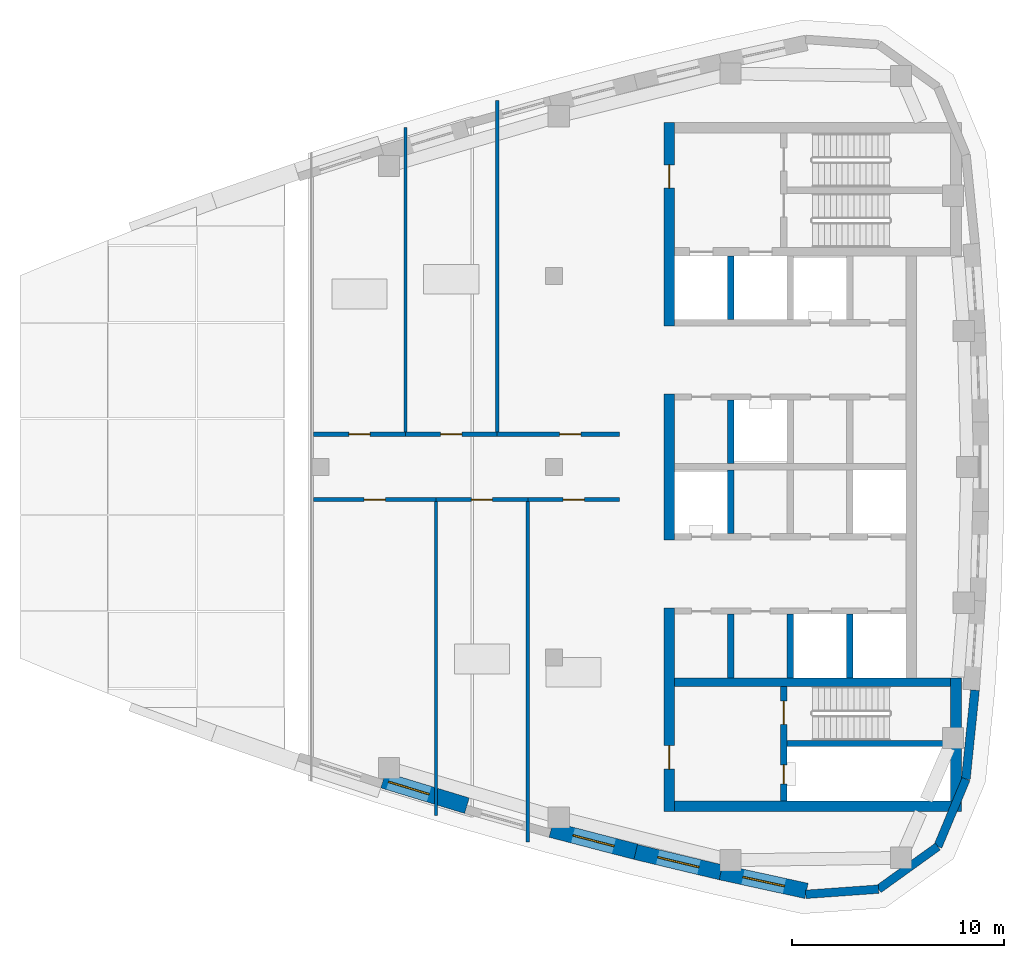
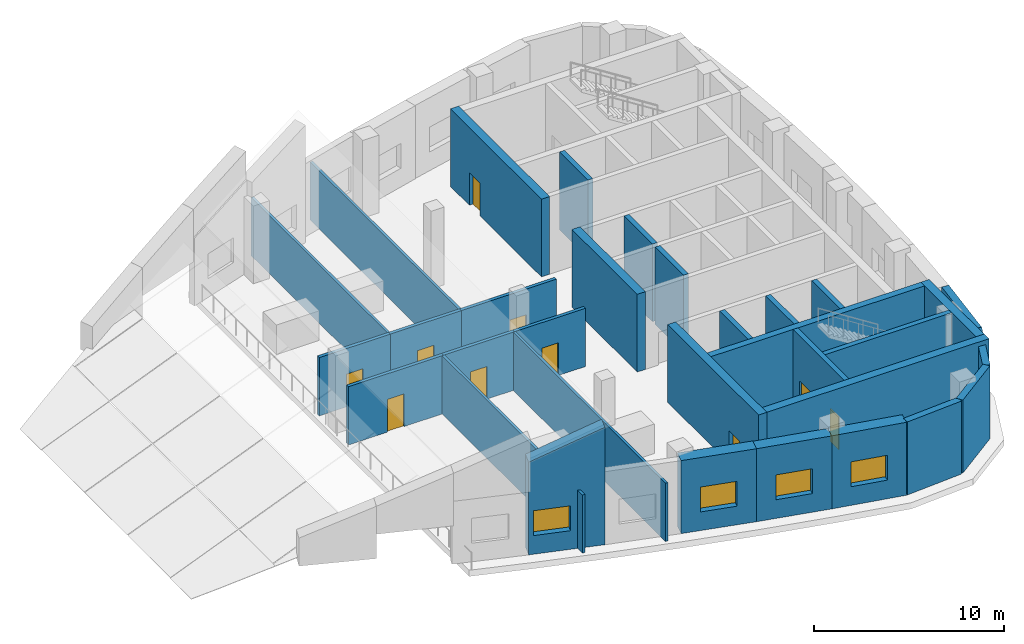
# One storey, part 2 of 8: 32 walls, 10 doors, 4 windows, 14 openings.
"""IFC4 building model written with IfcOpenShell, lengths in metres."""

import ifcopenshell
import ifcopenshell.guid

model = None  # the IFC model being written
_history = None  # IfcOwnerHistory: only IFC2X3 demands one
_inside = {}  # id of a spatial element -> (the spatial element, [elements in it])
_under = {}  # id of a project, library or spatial element -> (it, [spatial elements below it])
_declared = {}  # id of a project -> (the project, [libraries it declares])
_typed = {}  # id of a type object -> (the type object, [elements of that type])
_made_of = {}  # id of a material, layer set ... -> (it, [elements and type objects made of it])


def new_model(schema):
    """Start an empty IFC model of exactly this schema.

    Asked for "IFC4X3", IfcOpenShell would pick the latest addendum, in which some entities
    have other attributes; the version numbers below select the first issue.
    IFC2X3 requires an IfcOwnerHistory on every rooted entity: one is made here for all.
    """
    global model, _history
    if schema == "IFC4X3":
        model = ifcopenshell.file(schema_version=(4, 3, 0, 0))
    else:
        model = ifcopenshell.file(schema=schema)
    _inside.clear()
    _under.clear()
    _declared.clear()
    _typed.clear()
    _made_of.clear()
    _history = None
    if model.schema == "IFC2X3":
        org = make("IfcOrganization", Name="unknown")
        user = make(
            "IfcPersonAndOrganization",
            ThePerson=make("IfcPerson", FamilyName="unknown"),
            TheOrganization=org,
        )
        app = make(
            "IfcApplication",
            ApplicationDeveloper=org,
            Version="unknown",
            ApplicationFullName="unknown",
            ApplicationIdentifier="unknown",
        )
        _history = make(
            "IfcOwnerHistory",
            OwningUser=user,
            OwningApplication=app,
            ChangeAction="ADDED",
            CreationDate=0,
        )
    return model


def make(cls, **values):
    """One entity of the class cls with the attributes given. An attribute that is None is left unset."""
    return model.create_entity(
        cls, **{name: value for name, value in values.items() if value is not None}
    )


def rooted(cls, **values):
    """An entity with a GlobalId (a new one), such as an element, a storey or a relation."""
    return make(cls, GlobalId=ifcopenshell.guid.new(), OwnerHistory=_history, **values)


def si_unit(unit_type, name, prefix=None):
    """IfcSIUnit, for example si_unit("LENGTHUNIT", "METRE", prefix="MILLI")."""
    return make("IfcSIUnit", UnitType=unit_type, Prefix=prefix, Name=name)


def assignment(units):
    """IfcUnitAssignment: the units of a project."""
    return None if units is None else make("IfcUnitAssignment", Units=units)


def point(xyz):
    """IfcCartesianPoint."""
    return None if xyz is None else make("IfcCartesianPoint", Coordinates=xyz)


def direction(xyz):
    """IfcDirection."""
    return None if xyz is None else make("IfcDirection", DirectionRatios=xyz)


def frame(location, z_axis=None, x_axis=None):
    """IfcAxis2Placement3D, a coordinate frame: its origin and axes. An axis left out is left unset."""
    return make(
        "IfcAxis2Placement3D",
        Location=point(location),
        Axis=direction(z_axis),
        RefDirection=direction(x_axis),
    )


def frame_2d(location, x_axis=None):
    """IfcAxis2Placement2D, a coordinate frame in the plane: its origin and x axis."""
    return make(
        "IfcAxis2Placement2D", Location=point(location), RefDirection=direction(x_axis)
    )


def origin():
    """The frame at (0, 0, 0) with its axes left unset."""
    return frame((0.0, 0.0, 0.0))


def place(relative_to, where):
    """IfcLocalPlacement: puts the frame where relative to a parent placement (None: the world)."""
    return make(
        "IfcLocalPlacement", PlacementRelTo=relative_to, RelativePlacement=where
    )


def context(
    kind, dimensions, precision=None, world=None, true_north=None, identifier=None
):
    """IfcGeometricRepresentationContext, for example the 3D "Model" context."""
    return make(
        "IfcGeometricRepresentationContext",
        ContextIdentifier=identifier,
        ContextType=kind,
        CoordinateSpaceDimension=dimensions,
        Precision=precision,
        WorldCoordinateSystem=world,
        TrueNorth=true_north,
    )


def subcontext(parent, identifier, kind, view, scale=None):
    """IfcGeometricRepresentationSubContext, for example "Body" below "Model"."""
    return make(
        "IfcGeometricRepresentationSubContext",
        ContextIdentifier=identifier,
        ContextType=kind,
        ParentContext=parent,
        TargetScale=scale,
        TargetView=view,
    )


def project(units=None, contexts=None):
    """IfcProject with its units and contexts."""
    return rooted(
        "IfcProject",
        Name="project",
        RepresentationContexts=contexts,
        UnitsInContext=assignment(units),
    )


def spatial(cls, under=None, at=None, **own):
    """A site, building, storey or space (cls), placed at a placement, below another one or the project."""
    s = rooted(cls, ObjectPlacement=at, **own)
    if under is not None:
        _under.setdefault(under.id(), (under, []))[1].append(s)
    return s


def polyline(points):
    """IfcPolyline through the points."""
    return make("IfcPolyline", Points=[point(p) for p in points])


def profile(cls, at=None, kind="AREA", **sizes):
    """A parametric profile (cls). Its sizes go by their IFC names, for example OverallWidth=200.0."""
    return make(cls, ProfileType=kind, Position=at, **sizes)


def rectangle(**sizes):
    """IfcRectangleProfileDef."""
    return profile("IfcRectangleProfileDef", **sizes)


def outline(outer, holes=None, kind="AREA"):
    """IfcArbitraryClosedProfileDef: a profile drawn as a closed curve; with holes, ...WithVoids."""
    if holes is None:
        return make("IfcArbitraryClosedProfileDef", ProfileType=kind, OuterCurve=outer)
    return make(
        "IfcArbitraryProfileDefWithVoids",
        ProfileType=kind,
        OuterCurve=outer,
        InnerCurves=holes,
    )


def extrude(swept, where, along, depth):
    """IfcExtrudedAreaSolid: the profile swept, set in the frame where, extruded along a direction by depth."""
    return make(
        "IfcExtrudedAreaSolid",
        SweptArea=swept,
        Position=where,
        ExtrudedDirection=direction(along),
        Depth=depth,
    )


def shape(context_of_items, identifier, shape_type, items):
    """IfcShapeRepresentation: the items that make up one representation, for example the "Body"."""
    return make(
        "IfcShapeRepresentation",
        ContextOfItems=context_of_items,
        RepresentationIdentifier=identifier,
        RepresentationType=shape_type,
        Items=items,
    )


def material(Name=None, Category=None):
    """IfcMaterial."""
    return make("IfcMaterial", Name=Name, Category=Category)


def layer(
    of_material, thickness, ventilated=None, Name=None, Category=None, Priority=None
):
    """IfcMaterialLayer: one layer of a wall or slab, of a material (None: an air gap)."""
    return make(
        "IfcMaterialLayer",
        Material=of_material,
        LayerThickness=thickness,
        IsVentilated=ventilated,
        Name=Name,
        Category=Category,
        Priority=Priority,
    )


def layer_set(layers, Name=None):
    """IfcMaterialLayerSet."""
    return make("IfcMaterialLayerSet", MaterialLayers=layers, LayerSetName=Name)


def made_of(thing, what):
    """Note that an element or type object is made of a material, layer set ...; save() writes the relation."""
    if what is not None:
        _made_of.setdefault(what.id(), (what, []))[1].append(thing)
    return thing


def type_object(cls, material=None, **own):
    """A type object (cls), such as IfcWallType, which elements share."""
    return made_of(rooted(cls, **own), material)


def element(
    cls,
    number,
    at=None,
    inside=None,
    cuts=None,
    type_object=None,
    material=None,
    context=None,
    identifier="Body",
    shape_type=None,
    held_by="IfcProductDefinitionShape",
    body=None,
    shapes=None,
    **own,
):
    """One element of the class cls, such as IfcWall. Its Tag is "e" and its number.

    at: its placement. inside: the storey or other place that contains it. cuts: it is an
    opening in that element (IfcRelVoidsElement). A single representation is given by context,
    identifier, shape_type and body (its items); several are given by shapes. held_by: the class
    of the entity that holds the representations. save() writes the other relations.
    """
    e = rooted(cls, Tag="e%d" % number, ObjectPlacement=at, **own)
    if body is not None:
        shapes = [shape(context, identifier, shape_type, body)]
    if shapes is not None:
        e.Representation = make(held_by, Representations=shapes)
    if inside is not None:
        _inside.setdefault(inside.id(), (inside, []))[1].append(e)
    if cuts is not None:
        rooted(
            "IfcRelVoidsElement", RelatingBuildingElement=cuts, RelatedOpeningElement=e
        )
    if type_object is not None:
        _typed.setdefault(type_object.id(), (type_object, []))[1].append(e)
    return made_of(e, material)


def fill(opening, filler):
    """IfcRelFillsElement: the door or window that sits in an opening."""
    return rooted(
        "IfcRelFillsElement",
        RelatingOpeningElement=opening,
        RelatedBuildingElement=filler,
    )


def aggregate(whole, parts):
    """IfcRelAggregates: a whole, such as a stair, and the parts it consists of."""
    return rooted("IfcRelAggregates", RelatingObject=whole, RelatedObjects=parts)


def save(model, path):
    """Write the relations noted so far, then the file.

    IfcRelAggregates (storeys below a building ...), IfcRelContainedInSpatialStructure (elements
    in a storey), IfcRelDefinesByType, IfcRelAssociatesMaterial and IfcRelDeclares: one each for
    every whole, place, type object, material and project.
    """
    for whole, parts in _under.values():
        aggregate(whole, parts)
    for where, things in _inside.values():
        rooted(
            "IfcRelContainedInSpatialStructure",
            RelatedElements=things,
            RelatingStructure=where,
        )
    for kind, things in _typed.values():
        rooted("IfcRelDefinesByType", RelatedObjects=things, RelatingType=kind)
    for what, things in _made_of.values():
        rooted("IfcRelAssociatesMaterial", RelatedObjects=things, RelatingMaterial=what)
    for by, libraries in _declared.values():
        rooted("IfcRelDeclares", RelatingContext=by, RelatedDefinitions=libraries)
    model.write(path)


model = new_model("IFC4")

# Units and contexts
model_context = context("Model", 3, precision=1e-05, world=origin(), true_north=direction((0.0, 1.0)))
body_context = subcontext(model_context, "Body", "Model", "MODEL_VIEW")
ifc_project = project(units=[si_unit("LENGTHUNIT", "METRE"), si_unit("AREAUNIT", "SQUARE_METRE"), si_unit("VOLUMEUNIT", "CUBIC_METRE"), si_unit("PLANEANGLEUNIT", "RADIAN"), si_unit("MASSUNIT", "GRAM", prefix="KILO")], contexts=[model_context])

# Site, building, storey
site_placement = place(None, origin())
site = spatial("IfcSite", under=ifc_project, at=site_placement, CompositionType="ELEMENT")
building_placement = place(site_placement, origin())
building = spatial("IfcBuilding", under=site, at=building_placement, Name="Ostrand Prow Hotel Tower", CompositionType="ELEMENT")
storey_placement = place(building_placement, frame((0.0, 0.0, 332.39990234375)))
storey = spatial("IfcBuildingStorey", under=building, at=storey_placement, Name="C6", CompositionType="ELEMENT", Elevation=332.39990234375)

# Walls
ifc_material_1 = material(Name="Concrete C40/50", Category="concrete")
ifc_layer_1 = layer(ifc_material_1, 0.300048828125)
ifc_layer_set_1 = layer_set([ifc_layer_1], Name="Concrete C40/50")
wall_type_1 = type_object("IfcWallType", Name="Core wall 300 C40/50", PredefinedType="SHEAR", material=ifc_layer_set_1)
for number, where, z_axis, x_axis, name in (
    (1, (53.35009765625, 0.14990234375, 0.0), (0.0, 0.0, 1.0), (0.0, 1.0, 0.0), "Core wall PW-R1-NB"),
    (2, (53.35009765625, 6.949951171875, 0.0), (0.0, 0.0, 1.0), (0.0, 1.0, 0.0), "Core wall PW-R1-NA"),
    (3, (53.35009765625, -3.14990234375, 0.0), (0.0, 0.0, 1.0), (0.0, 1.0, 0.0), "Core wall PW-R1-SB"),
    (4, (53.35009765625, -9.949951171875, 0.0), (0.0, 0.0, 1.0), (0.0, 1.0, 0.0), "Core wall PW-R1-SA"),
    (5, (56.14990234375, -9.949951171875, 0.0), (0.0, 0.0, 1.0), (0.0, 1.0, 0.0), "Core wall PW-R2-SA"),
    (6, (58.949951171875, -9.949951171875, 0.0), (0.0, 0.0, 1.0), (0.0, 1.0, 0.0), "Core wall PW-R3-SA"),
):
    element("IfcWall", number, at=place(storey_placement, frame(where, z_axis=z_axis, x_axis=x_axis)), inside=storey, type_object=wall_type_1, Name=name, PredefinedType="SHEAR", context=body_context, shape_type="SweptSolid", body=[
        extrude(rectangle(XDim=3.0, YDim=0.300048828125, at=frame_2d((1.5, 0.0))), origin(), (0.0, 0.0, 1.0), 5.0),
    ])

# Wall, openings, doors
wall_1_placement = place(storey_placement, frame((55.85009765625, -15.75, 0.0), z_axis=(0.0, 0.0, 1.0), x_axis=(0.0, 1.0, 0.0)))
wall_1 = element("IfcWall", 7, at=wall_1_placement, inside=storey, type_object=wall_type_1, Name="Core wall PW-VS", PredefinedType="SHEAR", context=body_context, shape_type="SweptSolid", body=[
    extrude(rectangle(XDim=5.39990234375, YDim=0.300048828125, at=frame_2d((2.699951171875, 0.0))), origin(), (0.0, 0.0, 1.0), 5.0),
])
opening_1_placement = place(wall_1_placement, frame((3.60009765625, 0.0, 0.0)))
opening_1 = element("IfcOpeningElement", 8, at=opening_1_placement, cuts=wall_1, Name="Opening FD1", PredefinedType="OPENING", context=body_context, shape_type="SweptSolid", body=[
    extrude(rectangle(XDim=1.10009765625, YDim=2.10009765625, at=frame_2d((0.550048828125, 1.050048828125))), frame((0.0, 0.159912109375, 0.0), z_axis=(0.0, -1.0, 0.0), x_axis=(1.0, 0.0, 0.0)), (0.0, 0.0, 1.0), 0.320068359375),
])
opening_2_placement = place(wall_1_placement, frame((0.800048828125, 0.0, 0.0)))
opening_2 = element("IfcOpeningElement", 9, at=opening_2_placement, cuts=wall_1, Name="Opening FD2", PredefinedType="OPENING", context=body_context, shape_type="SweptSolid", body=[
    extrude(rectangle(XDim=0.89990234375, YDim=2.10009765625, at=frame_2d((0.449951171875, 1.050048828125))), frame((0.0, 0.159912109375, 0.0), z_axis=(0.0, -1.0, 0.0), x_axis=(1.0, 0.0, 0.0)), (0.0, 0.0, 1.0), 0.320068359375),
])
ifc_material_2 = material(Name="Steel fire door", Category="steel")
door_type_1 = type_object("IfcDoorType", Name="Fire door 1100 EI120", OperationType="SINGLE_SWING_RIGHT", PredefinedType="DOOR", material=ifc_material_2)
door_1_placement = place(opening_1_placement, origin())
door_1 = element("IfcDoor", 10, at=door_1_placement, inside=storey, type_object=door_type_1, Name="FIRE DOOR", OperationType="SINGLE_SWING_RIGHT", OverallHeight=2.10009765625, OverallWidth=1.10009765625, PredefinedType="DOOR", context=body_context, shape_type="SweptSolid", body=[
    extrude(rectangle(XDim=1.10009765625, YDim=2.10009765625, at=frame_2d((0.550048828125, 1.050048828125))), frame((0.0, 0.02490234375, 0.0), z_axis=(0.0, -1.0, 0.0), x_axis=(1.0, 0.0, 0.0)), (0.0, 0.0, 1.0), 0.050048828125),
])
fill(opening_1, door_1)
ifc_material_3 = material(Name="Steel fire door", Category="steel")
door_type_2 = type_object("IfcDoorType", Name="Fire door 900 EI120", OperationType="SINGLE_SWING_LEFT", PredefinedType="DOOR", material=ifc_material_3)
door_2_placement = place(opening_2_placement, origin())
door_2 = element("IfcDoor", 11, at=door_2_placement, inside=storey, type_object=door_type_2, Name="FIRE DOOR", OperationType="SINGLE_SWING_LEFT", OverallHeight=2.10009765625, OverallWidth=0.89990234375, PredefinedType="DOOR", context=body_context, shape_type="SweptSolid", body=[
    extrude(rectangle(XDim=0.89990234375, YDim=2.10009765625, at=frame_2d((0.449951171875, 1.050048828125))), frame((0.0, 0.02490234375, 0.0), z_axis=(0.0, -1.0, 0.0), x_axis=(1.0, 0.0, 0.0)), (0.0, 0.0, 1.0), 0.050048828125),
])
fill(opening_2, door_2)

# Walls
wall_2_placement = place(storey_placement, frame((56.0, -13.050048828125, 0.0), z_axis=(0.0, 0.0, 1.0), x_axis=(1.0, 0.0, 0.0)))
element("IfcWall", 12, at=wall_2_placement, inside=storey, type_object=wall_type_1, Name="Core wall PW-ST2R", PredefinedType="SHEAR", context=body_context, shape_type="SweptSolid", body=[
    extrude(rectangle(XDim=7.719970703125, YDim=0.300048828125, at=frame_2d((3.85986328125, 0.0))), origin(), (0.0, 0.0, 1.0), 5.0),
])
ifc_material_4 = material(Name="Concrete C40/50", Category="concrete")
ifc_layer_2 = layer(ifc_material_4, 0.39990234375)
ifc_layer_set_2 = layer_set([ifc_layer_2], Name="Concrete C40/50")
wall_type_2 = type_object("IfcWallType", Name="Core wall 400 C40/50", PredefinedType="SHEAR", material=ifc_layer_set_2)
wall_3_placement = place(storey_placement, frame((50.699951171875, -10.14990234375, 0.0), z_axis=(0.0, 0.0, 1.0), x_axis=(1.0, 0.0, 0.0)))
element("IfcWall", 13, at=wall_3_placement, inside=storey, type_object=wall_type_2, Name="Core wall PW-BS", PredefinedType="SHEAR", context=body_context, shape_type="SweptSolid", body=[
    extrude(rectangle(XDim=13.02001953125, YDim=0.39990234375, at=frame_2d((6.510009765625, 0.0))), origin(), (0.0, 0.0, 1.0), 5.0),
])

# Wall, opening, door
ifc_material_5 = material(Name="Concrete C40/50", Category="concrete")
ifc_layer_3 = layer(ifc_material_5, 0.5)
ifc_layer_set_3 = layer_set([ifc_layer_3], Name="Concrete C40/50")
wall_type_3 = type_object("IfcWallType", Name="Core wall 500 C40/50", PredefinedType="SHEAR", material=ifc_layer_set_3)
wall_4_placement = place(storey_placement, frame((50.449951171875, 6.64990234375, 0.0), z_axis=(0.0, 0.0, 1.0), x_axis=(0.0, 1.0, 0.0)))
wall_4 = element("IfcWall", 14, at=wall_4_placement, inside=storey, type_object=wall_type_3, Name="Core wall CW-W-N", PredefinedType="SHEAR", context=body_context, shape_type="SweptSolid", body=[
    extrude(rectangle(XDim=9.60009765625, YDim=0.5, at=frame_2d((4.800048828125, 0.0))), origin(), (0.0, 0.0, 1.0), 5.0),
])
opening_3_placement = place(wall_4_placement, frame((6.5, 0.0, 0.0)))
opening_3 = element("IfcOpeningElement", 15, at=opening_3_placement, cuts=wall_4, Name="Opening FD1", PredefinedType="OPENING", context=body_context, shape_type="SweptSolid", body=[
    extrude(rectangle(XDim=1.10009765625, YDim=2.10009765625, at=frame_2d((0.550048828125, 1.050048828125))), frame((0.0, 0.260009765625, 0.0), z_axis=(0.0, -1.0, 0.0), x_axis=(1.0, 0.0, 0.0)), (0.0, 0.0, 1.0), 0.52001953125),
])
door_3_placement = place(opening_3_placement, origin())
door_3 = element("IfcDoor", 16, at=door_3_placement, inside=storey, type_object=door_type_1, Name="FIRE DOOR", OperationType="SINGLE_SWING_RIGHT", OverallHeight=2.10009765625, OverallWidth=1.10009765625, PredefinedType="DOOR", context=body_context, shape_type="SweptSolid", body=[
    extrude(rectangle(XDim=1.10009765625, YDim=2.10009765625, at=frame_2d((0.550048828125, 1.050048828125))), frame((0.0, 0.02490234375, 0.0), z_axis=(0.0, -1.0, 0.0), x_axis=(1.0, 0.0, 0.0)), (0.0, 0.0, 1.0), 0.050048828125),
])
fill(opening_3, door_3)

# Wall
wall_5_placement = place(storey_placement, frame((50.449951171875, -3.449951171875, 0.0), z_axis=(0.0, 0.0, 1.0), x_axis=(0.0, 1.0, 0.0)))
element("IfcWall", 17, at=wall_5_placement, inside=storey, type_object=wall_type_3, Name="Core wall CW-W-C", PredefinedType="SHEAR", context=body_context, shape_type="SweptSolid", body=[
    extrude(rectangle(XDim=6.89990234375, YDim=0.5, at=frame_2d((3.449951171875, 0.0))), origin(), (0.0, 0.0, 1.0), 5.0),
])

# Wall, opening, door
wall_6_placement = place(storey_placement, frame((50.449951171875, -16.25, 0.0), z_axis=(0.0, 0.0, 1.0), x_axis=(0.0, 1.0, 0.0)))
wall_6 = element("IfcWall", 18, at=wall_6_placement, inside=storey, type_object=wall_type_3, Name="Core wall CW-W-S", PredefinedType="SHEAR", context=body_context, shape_type="SweptSolid", body=[
    extrude(rectangle(XDim=9.60009765625, YDim=0.5, at=frame_2d((4.800048828125, 0.0))), origin(), (0.0, 0.0, 1.0), 5.0),
])
opening_4_placement = place(wall_6_placement, frame((2.0, 0.0, 0.0)))
opening_4 = element("IfcOpeningElement", 19, at=opening_4_placement, cuts=wall_6, Name="Opening FD1", PredefinedType="OPENING", context=body_context, shape_type="SweptSolid", body=[
    extrude(rectangle(XDim=1.10009765625, YDim=2.10009765625, at=frame_2d((0.550048828125, 1.050048828125))), frame((0.0, 0.260009765625, 0.0), z_axis=(0.0, -1.0, 0.0), x_axis=(1.0, 0.0, 0.0)), (0.0, 0.0, 1.0), 0.52001953125),
])
door_4_placement = place(opening_4_placement, origin())
door_4 = element("IfcDoor", 20, at=door_4_placement, inside=storey, type_object=door_type_1, Name="FIRE DOOR", OperationType="SINGLE_SWING_RIGHT", OverallHeight=2.10009765625, OverallWidth=1.10009765625, PredefinedType="DOOR", context=body_context, shape_type="SweptSolid", body=[
    extrude(rectangle(XDim=1.10009765625, YDim=2.10009765625, at=frame_2d((0.550048828125, 1.050048828125))), frame((0.0, 0.02490234375, 0.0), z_axis=(0.0, -1.0, 0.0), x_axis=(1.0, 0.0, 0.0)), (0.0, 0.0, 1.0), 0.050048828125),
])
fill(opening_4, door_4)

# Walls
wall_7_placement = place(storey_placement, frame((50.699951171875, -16.0, 0.0), z_axis=(0.0, 0.0, 1.0), x_axis=(1.0, 0.0, 0.0)))
element("IfcWall", 21, at=wall_7_placement, inside=storey, type_object=wall_type_3, Name="Core wall CW-S", PredefinedType="SHEAR", context=body_context, shape_type="SweptSolid", body=[
    extrude(rectangle(XDim=13.52001953125, YDim=0.5, at=frame_2d((6.760009765625, 0.0))), origin(), (0.0, 0.0, 1.0), 5.0),
])
wall_8_placement = place(storey_placement, frame((63.969970703125, -15.75, 0.0), z_axis=(0.0, 0.0, 1.0), x_axis=(0.0, 1.0, 0.0)))
element("IfcWall", 22, at=wall_8_placement, inside=storey, type_object=wall_type_3, Name="Core wall CW-E-S", PredefinedType="SHEAR", context=body_context, shape_type="SweptSolid", body=[
    extrude(rectangle(XDim=5.800048828125, YDim=0.5, at=frame_2d((2.89990234375, 0.0))), origin(), (0.0, 0.0, 1.0), 5.0),
])
ifc_material_6 = material(Name="Plasterboard partition")
ifc_layer_4 = layer(ifc_material_6, 0.14990234375)
ifc_layer_set_4 = layer_set([ifc_layer_4], Name="Plasterboard partition")
wall_type_4 = type_object("IfcWallType", Name="Partition 150 room partition", PredefinedType="PARTITIONING", material=ifc_layer_set_4)
wall_9_placement = place(storey_placement, frame((39.43798828125, -16.4365234375, 0.0), z_axis=(0.0, 0.0, 1.0), x_axis=(0.0, 1.0, 0.0)))
element("IfcWall", 23, at=wall_9_placement, inside=storey, type_object=wall_type_4, Name="ROOM PARTITION", PredefinedType="PARTITIONING", context=body_context, shape_type="SweptSolid", body=[
    extrude(rectangle(XDim=14.893798828125, YDim=0.14990234375, at=frame_2d((7.44677734375, 0.0))), origin(), (0.0, 0.0, 1.0), 3.75),
])
wall_10_placement = place(storey_placement, frame((43.76904296875, -17.685791015625, 0.0), z_axis=(0.0, 0.0, 1.0), x_axis=(0.0, 1.0, 0.0)))
element("IfcWall", 24, at=wall_10_placement, inside=storey, type_object=wall_type_4, Name="ROOM PARTITION", PredefinedType="PARTITIONING", context=body_context, shape_type="SweptSolid", body=[
    extrude(rectangle(XDim=16.14306640625, YDim=0.14990234375, at=frame_2d((8.071533203125, 0.0))), origin(), (0.0, 0.0, 1.0), 3.75),
])
wall_11_placement = place(storey_placement, frame((37.994384765625, 1.542724609375, 0.0), z_axis=(0.0, 0.0, 1.0), x_axis=(0.0, 1.0, 0.0)))
element("IfcWall", 25, at=wall_11_placement, inside=storey, type_object=wall_type_4, Name="ROOM PARTITION", PredefinedType="PARTITIONING", context=body_context, shape_type="SweptSolid", body=[
    extrude(rectangle(XDim=14.454833984375, YDim=0.14990234375, at=frame_2d((7.2275390625, 0.0))), origin(), (0.0, 0.0, 1.0), 3.75),
])
wall_12_placement = place(storey_placement, frame((42.3251953125, 1.542724609375, 0.0), z_axis=(0.0, 0.0, 1.0), x_axis=(0.0, 1.0, 0.0)))
element("IfcWall", 26, at=wall_12_placement, inside=storey, type_object=wall_type_4, Name="ROOM PARTITION", PredefinedType="PARTITIONING", context=body_context, shape_type="SweptSolid", body=[
    extrude(rectangle(XDim=15.735595703125, YDim=0.14990234375, at=frame_2d((7.86767578125, 0.0))), origin(), (0.0, 0.0, 1.0), 3.75),
])

# Wall, opening, door
ifc_material_7 = material(Name="Plasterboard partition")
ifc_layer_5 = layer(ifc_material_7, 0.199951171875)
ifc_layer_set_5 = layer_set([ifc_layer_5], Name="Plasterboard partition")
wall_type_5 = type_object("IfcWallType", Name="Partition 200 corridor wall", PredefinedType="PARTITIONING", material=ifc_layer_set_5)
wall_13_placement = place(storey_placement, frame((33.663330078125, -1.542724609375, 0.0), z_axis=(0.0, 0.0, 1.0), x_axis=(1.0, 0.0, 0.0)))
wall_13 = element("IfcWall", 27, at=wall_13_placement, inside=storey, type_object=wall_type_5, Name="CORRIDOR WALL", PredefinedType="PARTITIONING", context=body_context, shape_type="SweptSolid", body=[
    extrude(rectangle(XDim=5.774658203125, YDim=0.199951171875, at=frame_2d((2.88720703125, 0.0))), origin(), (0.0, 0.0, 1.0), 3.75),
])
opening_5_placement = place(wall_13_placement, frame((2.38720703125, 0.0, 0.0)))
opening_5 = element("IfcOpeningElement", 28, at=opening_5_placement, cuts=wall_13, Name="Opening D1", PredefinedType="OPENING", context=body_context, shape_type="SweptSolid", body=[
    extrude(rectangle(XDim=1.0, YDim=2.10009765625, at=frame_2d((0.5, 1.050048828125))), frame((0.0, 0.10986328125, 0.0), z_axis=(0.0, -1.0, 0.0), x_axis=(1.0, 0.0, 0.0)), (0.0, 0.0, 1.0), 0.219970703125),
])
ifc_material_8 = material(Name="Timber door leaf", Category="wood")
door_type_3 = type_object("IfcDoorType", Name="Guest room door 1000", OperationType="SINGLE_SWING_LEFT", PredefinedType="DOOR", material=ifc_material_8)
door_5_placement = place(opening_5_placement, origin())
door_5 = element("IfcDoor", 29, at=door_5_placement, inside=storey, type_object=door_type_3, Name="DOOR", OperationType="SINGLE_SWING_LEFT", OverallHeight=2.10009765625, OverallWidth=1.0, PredefinedType="DOOR", context=body_context, shape_type="SweptSolid", body=[
    extrude(rectangle(XDim=1.0, YDim=2.10009765625, at=frame_2d((0.5, 1.050048828125))), frame((0.0, 0.02490234375, 0.0), z_axis=(0.0, -1.0, 0.0), x_axis=(1.0, 0.0, 0.0)), (0.0, 0.0, 1.0), 0.050048828125),
])
fill(opening_5, door_5)

wall_14_placement = place(storey_placement, frame((39.43798828125, -1.542724609375, 0.0), z_axis=(0.0, 0.0, 1.0), x_axis=(1.0, 0.0, 0.0)))
wall_14 = element("IfcWall", 30, at=wall_14_placement, inside=storey, type_object=wall_type_5, Name="CORRIDOR WALL", PredefinedType="PARTITIONING", context=body_context, shape_type="SweptSolid", body=[
    extrude(rectangle(XDim=4.3310546875, YDim=0.199951171875, at=frame_2d((2.16552734375, 0.0))), origin(), (0.0, 0.0, 1.0), 3.75),
])
opening_6_placement = place(wall_14_placement, frame((1.66552734375, 0.0, 0.0)))
opening_6 = element("IfcOpeningElement", 31, at=opening_6_placement, cuts=wall_14, Name="Opening D1R", PredefinedType="OPENING", context=body_context, shape_type="SweptSolid", body=[
    extrude(rectangle(XDim=1.0, YDim=2.10009765625, at=frame_2d((0.5, 1.050048828125))), frame((0.0, 0.10986328125, 0.0), z_axis=(0.0, -1.0, 0.0), x_axis=(1.0, 0.0, 0.0)), (0.0, 0.0, 1.0), 0.219970703125),
])
ifc_material_9 = material(Name="Timber door leaf", Category="wood")
door_type_4 = type_object("IfcDoorType", Name="Guest room door 1000 right", OperationType="SINGLE_SWING_RIGHT", PredefinedType="DOOR", material=ifc_material_9)
door_6_placement = place(opening_6_placement, origin())
door_6 = element("IfcDoor", 32, at=door_6_placement, inside=storey, type_object=door_type_4, Name="DOOR", OperationType="SINGLE_SWING_RIGHT", OverallHeight=2.10009765625, OverallWidth=1.0, PredefinedType="DOOR", context=body_context, shape_type="SweptSolid", body=[
    extrude(rectangle(XDim=1.0, YDim=2.10009765625, at=frame_2d((0.5, 1.050048828125))), frame((0.0, 0.02490234375, 0.0), z_axis=(0.0, -1.0, 0.0), x_axis=(1.0, 0.0, 0.0)), (0.0, 0.0, 1.0), 0.050048828125),
])
fill(opening_6, door_6)

wall_15_placement = place(storey_placement, frame((43.76904296875, -1.542724609375, 0.0), z_axis=(0.0, 0.0, 1.0), x_axis=(1.0, 0.0, 0.0)))
wall_15 = element("IfcWall", 33, at=wall_15_placement, inside=storey, type_object=wall_type_5, Name="CORRIDOR WALL", PredefinedType="PARTITIONING", context=body_context, shape_type="SweptSolid", body=[
    extrude(rectangle(XDim=4.3310546875, YDim=0.199951171875, at=frame_2d((2.16552734375, 0.0))), origin(), (0.0, 0.0, 1.0), 3.75),
])
opening_7_placement = place(wall_15_placement, frame((1.66552734375, 0.0, 0.0)))
opening_7 = element("IfcOpeningElement", 34, at=opening_7_placement, cuts=wall_15, Name="Opening D1", PredefinedType="OPENING", context=body_context, shape_type="SweptSolid", body=[
    extrude(rectangle(XDim=1.0, YDim=2.10009765625, at=frame_2d((0.5, 1.050048828125))), frame((0.0, 0.10986328125, 0.0), z_axis=(0.0, -1.0, 0.0), x_axis=(1.0, 0.0, 0.0)), (0.0, 0.0, 1.0), 0.219970703125),
])
door_7_placement = place(opening_7_placement, origin())
door_7 = element("IfcDoor", 35, at=door_7_placement, inside=storey, type_object=door_type_3, Name="DOOR", OperationType="SINGLE_SWING_LEFT", OverallHeight=2.10009765625, OverallWidth=1.0, PredefinedType="DOOR", context=body_context, shape_type="SweptSolid", body=[
    extrude(rectangle(XDim=1.0, YDim=2.10009765625, at=frame_2d((0.5, 1.050048828125))), frame((0.0, 0.02490234375, 0.0), z_axis=(0.0, -1.0, 0.0), x_axis=(1.0, 0.0, 0.0)), (0.0, 0.0, 1.0), 0.050048828125),
])
fill(opening_7, door_7)

wall_16_placement = place(storey_placement, frame((33.663330078125, 1.542724609375, 0.0), z_axis=(0.0, 0.0, 1.0), x_axis=(1.0, 0.0, 0.0)))
wall_16 = element("IfcWall", 36, at=wall_16_placement, inside=storey, type_object=wall_type_5, Name="CORRIDOR WALL", PredefinedType="PARTITIONING", context=body_context, shape_type="SweptSolid", body=[
    extrude(rectangle(XDim=4.3310546875, YDim=0.199951171875, at=frame_2d((2.16552734375, 0.0))), origin(), (0.0, 0.0, 1.0), 3.75),
])
opening_8_placement = place(wall_16_placement, frame((1.66552734375, 0.0, 0.0)))
opening_8 = element("IfcOpeningElement", 37, at=opening_8_placement, cuts=wall_16, Name="Opening D1R", PredefinedType="OPENING", context=body_context, shape_type="SweptSolid", body=[
    extrude(rectangle(XDim=1.0, YDim=2.10009765625, at=frame_2d((0.5, 1.050048828125))), frame((0.0, 0.10986328125, 0.0), z_axis=(0.0, -1.0, 0.0), x_axis=(1.0, 0.0, 0.0)), (0.0, 0.0, 1.0), 0.219970703125),
])
door_8_placement = place(opening_8_placement, origin())
door_8 = element("IfcDoor", 38, at=door_8_placement, inside=storey, type_object=door_type_4, Name="DOOR", OperationType="SINGLE_SWING_RIGHT", OverallHeight=2.10009765625, OverallWidth=1.0, PredefinedType="DOOR", context=body_context, shape_type="SweptSolid", body=[
    extrude(rectangle(XDim=1.0, YDim=2.10009765625, at=frame_2d((0.5, 1.050048828125))), frame((0.0, 0.02490234375, 0.0), z_axis=(0.0, -1.0, 0.0), x_axis=(1.0, 0.0, 0.0)), (0.0, 0.0, 1.0), 0.050048828125),
])
fill(opening_8, door_8)

wall_17_placement = place(storey_placement, frame((37.994384765625, 1.542724609375, 0.0), z_axis=(0.0, 0.0, 1.0), x_axis=(1.0, 0.0, 0.0)))
wall_17 = element("IfcWall", 39, at=wall_17_placement, inside=storey, type_object=wall_type_5, Name="CORRIDOR WALL", PredefinedType="PARTITIONING", context=body_context, shape_type="SweptSolid", body=[
    extrude(rectangle(XDim=4.330810546875, YDim=0.199951171875, at=frame_2d((2.16552734375, 0.0))), origin(), (0.0, 0.0, 1.0), 3.75),
])
opening_9_placement = place(wall_17_placement, frame((1.66552734375, 0.0, 0.0)))
opening_9 = element("IfcOpeningElement", 40, at=opening_9_placement, cuts=wall_17, Name="Opening D1", PredefinedType="OPENING", context=body_context, shape_type="SweptSolid", body=[
    extrude(rectangle(XDim=1.0, YDim=2.10009765625, at=frame_2d((0.5, 1.050048828125))), frame((0.0, 0.10986328125, 0.0), z_axis=(0.0, -1.0, 0.0), x_axis=(1.0, 0.0, 0.0)), (0.0, 0.0, 1.0), 0.219970703125),
])
door_9_placement = place(opening_9_placement, origin())
door_9 = element("IfcDoor", 41, at=door_9_placement, inside=storey, type_object=door_type_3, Name="DOOR", OperationType="SINGLE_SWING_LEFT", OverallHeight=2.10009765625, OverallWidth=1.0, PredefinedType="DOOR", context=body_context, shape_type="SweptSolid", body=[
    extrude(rectangle(XDim=1.0, YDim=2.10009765625, at=frame_2d((0.5, 1.050048828125))), frame((0.0, 0.02490234375, 0.0), z_axis=(0.0, -1.0, 0.0), x_axis=(1.0, 0.0, 0.0)), (0.0, 0.0, 1.0), 0.050048828125),
])
fill(opening_9, door_9)

wall_18_placement = place(storey_placement, frame((42.3251953125, 1.542724609375, 0.0), z_axis=(0.0, 0.0, 1.0), x_axis=(1.0, 0.0, 0.0)))
wall_18 = element("IfcWall", 42, at=wall_18_placement, inside=storey, type_object=wall_type_5, Name="CORRIDOR WALL", PredefinedType="PARTITIONING", context=body_context, shape_type="SweptSolid", body=[
    extrude(rectangle(XDim=5.77490234375, YDim=0.199951171875, at=frame_2d((2.887451171875, 0.0))), origin(), (0.0, 0.0, 1.0), 3.75),
])
opening_10_placement = place(wall_18_placement, frame((2.949951171875, 0.0, 0.0)))
opening_10 = element("IfcOpeningElement", 43, at=opening_10_placement, cuts=wall_18, Name="Opening D1R", PredefinedType="OPENING", context=body_context, shape_type="SweptSolid", body=[
    extrude(rectangle(XDim=1.0, YDim=2.10009765625, at=frame_2d((0.5, 1.050048828125))), frame((0.0, 0.10986328125, 0.0), z_axis=(0.0, -1.0, 0.0), x_axis=(1.0, 0.0, 0.0)), (0.0, 0.0, 1.0), 0.219970703125),
])
door_10_placement = place(opening_10_placement, origin())
door_10 = element("IfcDoor", 44, at=door_10_placement, inside=storey, type_object=door_type_4, Name="DOOR", OperationType="SINGLE_SWING_RIGHT", OverallHeight=2.10009765625, OverallWidth=1.0, PredefinedType="DOOR", context=body_context, shape_type="SweptSolid", body=[
    extrude(rectangle(XDim=1.0, YDim=2.10009765625, at=frame_2d((0.5, 1.050048828125))), frame((0.0, 0.02490234375, 0.0), z_axis=(0.0, -1.0, 0.0), x_axis=(1.0, 0.0, 0.0)), (0.0, 0.0, 1.0), 0.050048828125),
])
fill(opening_10, door_10)

# Wall, opening, window
ifc_material_10 = material(Name="Precast concrete C40/50", Category="concrete")
ifc_layer_6 = layer(ifc_material_10, 0.39990234375)
ifc_layer_set_6 = layer_set([ifc_layer_6], Name="Precast concrete C40/50")
wall_type_6 = type_object("IfcWallType", Name="Stone-faced precast wall 400 mm", PredefinedType="NOTDEFINED", material=ifc_layer_set_6)
wall_19_placement = place(storey_placement, frame((36.94580078125, -14.77734375, 0.0), z_axis=(0.0, 0.0, 1.0), x_axis=(0.956738247994, -0.290950038368, 0.0)))
wall_19 = element("IfcWall", 45, at=wall_19_placement, inside=storey, type_object=wall_type_6, Name="Crown side wall C6 11", PredefinedType="NOTDEFINED", context=body_context, shape_type="SweptSolid", body=[
    extrude(outline(polyline([(0.0, 0.0), (4.132568359375, 0.0), (4.132568359375, 7.56201171875), (0.0, 5.96484375), (0.0, 0.0)])), frame((0.0, 0.38232421875, 0.0), z_axis=(0.0, -1.0, 0.0), x_axis=(1.0, 0.0, 0.0)), (0.0, 0.0, 1.0), 0.764892578125),
])
opening_11_placement = place(wall_19_placement, frame((0.266357421875, 0.0, 1.199951171875)))
opening_11 = element("IfcOpeningElement", 46, at=opening_11_placement, cuts=wall_19, Name="Opening WV1", PredefinedType="OPENING", context=body_context, shape_type="SweptSolid", body=[
    extrude(rectangle(XDim=2.0, YDim=1.60009765625, at=frame_2d((1.0, 0.800048828125))), frame((0.0, 0.392333984375, 0.0), z_axis=(0.0, -1.0, 0.0), x_axis=(1.0, 0.0, 0.0)), (0.0, 0.0, 1.0), 0.784912109375),
])
ifc_material_11 = material(Name="Bronze anodised aluminium louvre", Category="aluminium")
window_type = type_object("IfcWindowType", Name="Louvre vent 2000x1600", PartitioningType="SINGLE_PANEL", PredefinedType="WINDOW", material=ifc_material_11)
window_1_placement = place(opening_11_placement, origin())
window_1 = element("IfcWindow", 47, at=window_1_placement, inside=storey, type_object=window_type, Name="Louvre vent 11.1", OverallHeight=1.60009765625, OverallWidth=2.0, PartitioningType="SINGLE_PANEL", PredefinedType="WINDOW", context=body_context, shape_type="SweptSolid", body=[
    extrude(rectangle(XDim=2.0, YDim=1.60009765625, at=frame_2d((1.0, 0.800048828125))), frame((0.0, 0.030029296875, 0.0), z_axis=(0.0, -1.0, 0.0), x_axis=(1.0, 0.0, 0.0)), (0.0, 0.0, 1.0), 0.06005859375),
])
fill(opening_11, window_1)

wall_20_placement = place(storey_placement, frame((44.8671875, -17.110107421875, 0.0), z_axis=(0.0, 0.0, 1.0), x_axis=(0.967657413064, -0.252267974466, 0.0)))
wall_20 = element("IfcWall", 48, at=wall_20_placement, inside=storey, type_object=wall_type_6, Name="Crown side wall C6 13", PredefinedType="NOTDEFINED", context=body_context, shape_type="SweptSolid", body=[
    extrude(rectangle(XDim=4.13232421875, YDim=0.74462890625, at=frame_2d((2.066162109375, 0.0))), origin(), (0.0, 0.0, 1.0), 4.7001953125),
])
opening_12_placement = place(wall_20_placement, frame((1.06640625, 0.0, 1.199951171875)))
opening_12 = element("IfcOpeningElement", 49, at=opening_12_placement, cuts=wall_20, Name="Opening WV1", PredefinedType="OPENING", context=body_context, shape_type="SweptSolid", body=[
    extrude(rectangle(XDim=2.0, YDim=1.60009765625, at=frame_2d((1.0, 0.800048828125))), frame((0.0, 0.38232421875, 0.0), z_axis=(0.0, -1.0, 0.0), x_axis=(1.0, 0.0, 0.0)), (0.0, 0.0, 1.0), 0.7646484375),
])
window_2_placement = place(opening_12_placement, origin())
window_2 = element("IfcWindow", 50, at=window_2_placement, inside=storey, type_object=window_type, Name="Louvre vent 13.1", OverallHeight=1.60009765625, OverallWidth=2.0, PartitioningType="SINGLE_PANEL", PredefinedType="WINDOW", context=body_context, shape_type="SweptSolid", body=[
    extrude(rectangle(XDim=2.0, YDim=1.60009765625, at=frame_2d((1.0, 0.800048828125))), frame((0.0, 0.030029296875, 0.0), z_axis=(0.0, -1.0, 0.0), x_axis=(1.0, 0.0, 0.0)), (0.0, 0.0, 1.0), 0.06005859375),
])
fill(opening_12, window_2)

wall_21_placement = place(storey_placement, frame((48.85986328125, -18.163330078125, 0.0), z_axis=(0.0, 0.0, 1.0), x_axis=(0.972546345517, -0.232709273174, 0.0)))
wall_21 = element("IfcWall", 51, at=wall_21_placement, inside=storey, type_object=wall_type_6, Name="Crown side wall C6 14", PredefinedType="NOTDEFINED", context=body_context, shape_type="SweptSolid", body=[
    extrude(rectangle(XDim=4.132568359375, YDim=0.720703125, at=frame_2d((2.06640625, 0.0))), origin(), (0.0, 0.0, 1.0), 4.7001953125),
])
opening_13_placement = place(wall_21_placement, frame((1.06640625, 0.0, 1.199951171875)))
opening_13 = element("IfcOpeningElement", 52, at=opening_13_placement, cuts=wall_21, Name="Opening WV1", PredefinedType="OPENING", context=body_context, shape_type="SweptSolid", body=[
    extrude(rectangle(XDim=2.0, YDim=1.60009765625, at=frame_2d((1.0, 0.800048828125))), frame((0.0, 0.370361328125, 0.0), z_axis=(0.0, -1.0, 0.0), x_axis=(1.0, 0.0, 0.0)), (0.0, 0.0, 1.0), 0.74072265625),
])
window_3_placement = place(opening_13_placement, origin())
window_3 = element("IfcWindow", 53, at=window_3_placement, inside=storey, type_object=window_type, Name="Louvre vent 14.1", OverallHeight=1.60009765625, OverallWidth=2.0, PartitioningType="SINGLE_PANEL", PredefinedType="WINDOW", context=body_context, shape_type="SweptSolid", body=[
    extrude(rectangle(XDim=2.0, YDim=1.60009765625, at=frame_2d((1.0, 0.800048828125))), frame((0.0, 0.030029296875, 0.0), z_axis=(0.0, -1.0, 0.0), x_axis=(1.0, 0.0, 0.0)), (0.0, 0.0, 1.0), 0.06005859375),
])
fill(opening_13, window_3)

wall_22_placement = place(storey_placement, frame((52.876953125, -19.11865234375, 0.0), z_axis=(0.0, 0.0, 1.0), x_axis=(0.977019340581, -0.213150670022, 0.0)))
wall_22 = element("IfcWall", 54, at=wall_22_placement, inside=storey, type_object=wall_type_6, Name="Crown side wall C6 15", PredefinedType="NOTDEFINED", context=body_context, shape_type="SweptSolid", body=[
    extrude(rectangle(XDim=4.132568359375, YDim=0.732666015625, at=frame_2d((2.06640625, 0.0))), origin(), (0.0, 0.0, 1.0), 4.7001953125),
])
opening_14_placement = place(wall_22_placement, frame((1.06640625, 0.0, 1.199951171875)))
opening_14 = element("IfcOpeningElement", 55, at=opening_14_placement, cuts=wall_22, Name="Opening WV1", PredefinedType="OPENING", context=body_context, shape_type="SweptSolid", body=[
    extrude(rectangle(XDim=2.0, YDim=1.60009765625, at=frame_2d((1.0, 0.800048828125))), frame((0.0, 0.376220703125, 0.0), z_axis=(0.0, -1.0, 0.0), x_axis=(1.0, 0.0, 0.0)), (0.0, 0.0, 1.0), 0.752685546875),
])
window_4_placement = place(opening_14_placement, origin())
window_4 = element("IfcWindow", 56, at=window_4_placement, inside=storey, type_object=window_type, Name="Louvre vent 15.1", OverallHeight=1.60009765625, OverallWidth=2.0, PartitioningType="SINGLE_PANEL", PredefinedType="WINDOW", context=body_context, shape_type="SweptSolid", body=[
    extrude(rectangle(XDim=2.0, YDim=1.60009765625, at=frame_2d((1.0, 0.800048828125))), frame((0.0, 0.030029296875, 0.0), z_axis=(0.0, -1.0, 0.0), x_axis=(1.0, 0.0, 0.0)), (0.0, 0.0, 1.0), 0.06005859375),
])
fill(opening_14, window_4)

# Walls
wall_23_placement = place(storey_placement, frame((56.87890625, -20.161865234375, 0.0), z_axis=(0.0, 0.0, 1.0), x_axis=(0.997465171407, 0.071156389945, 0.0)))
element("IfcWall", 57, at=wall_23_placement, inside=storey, type_object=wall_type_6, Name="Crown side wall C6 16", PredefinedType="NOTDEFINED", context=body_context, shape_type="SweptSolid", body=[
    extrude(rectangle(XDim=3.44482421875, YDim=0.39990234375, at=frame_2d((1.722412109375, 0.0))), origin(), (0.0, 0.0, 1.0), 4.7001953125),
])
for number, where, z_axis, x_axis, name in (
    (58, (60.31494140625, -19.916748046875, 0.0), (0.0, 0.0, 1.0), (0.811948187253, 0.583729510319, 0.0), "Crown side wall C6 17"),
    (59, (63.11181640625, -17.906005859375, 0.0), (0.0, 0.0, 1.0), (0.385279586197, 0.922799891884, 0.0), "Crown side wall C6 18"),
):
    element("IfcWall", number, at=place(storey_placement, frame(where, z_axis=z_axis, x_axis=x_axis)), inside=storey, type_object=wall_type_6, Name=name, PredefinedType="NOTDEFINED", context=body_context, shape_type="SweptSolid", body=[
        extrude(rectangle(XDim=3.444580078125, YDim=0.39990234375, at=frame_2d((1.72216796875, 0.0))), origin(), (0.0, 0.0, 1.0), 4.7001953125),
    ])
wall_24_placement = place(storey_placement, frame((64.43212890625, -14.726806640625, 0.0), z_axis=(0.0, 0.0, 1.0), x_axis=(0.102219795478, 0.994761837533, 0.0)))
element("IfcWall", 60, at=wall_24_placement, inside=storey, type_object=wall_type_6, Name="Crown side wall C6 19", PredefinedType="NOTDEFINED", context=body_context, shape_type="SweptSolid", body=[
    extrude(rectangle(XDim=4.2177734375, YDim=0.413818359375, at=frame_2d((2.10888671875, 0.0))), origin(), (0.0, 0.0, 1.0), 4.7001953125),
])

save(model, "model.ifc")
